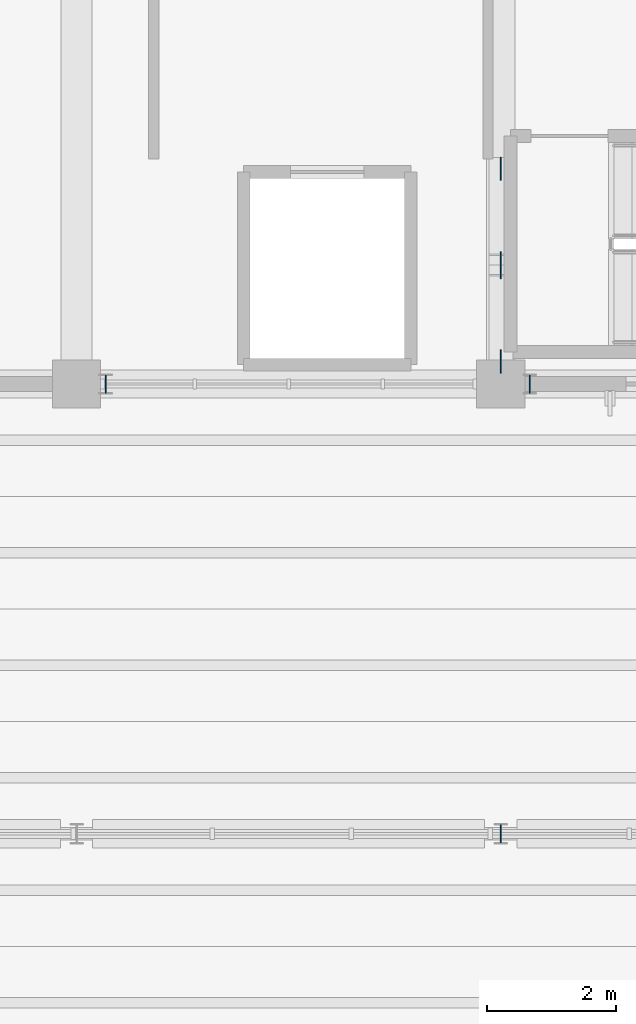
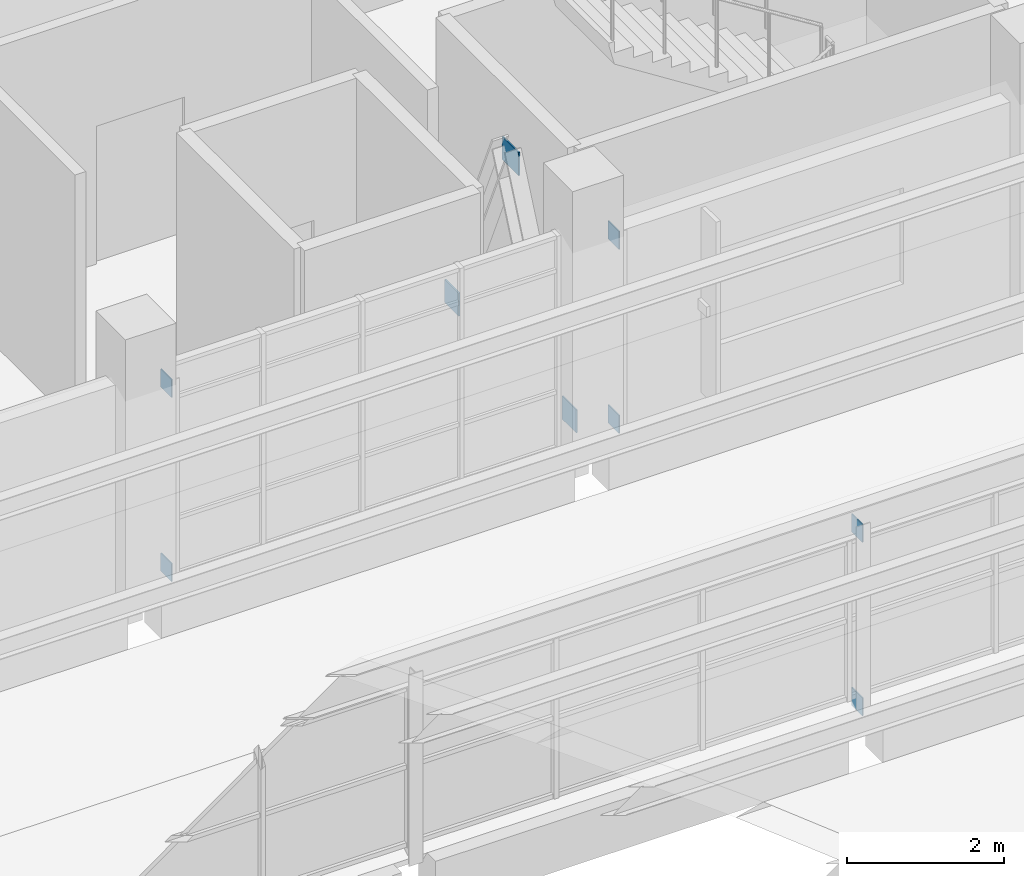
# One storey, part 84 of 92: 9 plates.
"""IFC4 building model written with IfcOpenShell, lengths in metres."""

from ifc_helpers import new_model, si_unit, direction, frame, origin, origin_2d, place, context, subcontext, project, spatial, rectangle, extrude, material, layer, layer_set, type_object, element, save


model = new_model("IFC4")

# Units and contexts
model_context = context("Model", 3, precision=1e-05, world=origin(), true_north=direction((0.0, 1.0)))
body_context = subcontext(model_context, "Body", "Model", "MODEL_VIEW")
ifc_project = project(units=[si_unit("LENGTHUNIT", "METRE"), si_unit("AREAUNIT", "SQUARE_METRE"), si_unit("VOLUMEUNIT", "CUBIC_METRE"), si_unit("PLANEANGLEUNIT", "RADIAN"), si_unit("MASSUNIT", "GRAM", prefix="KILO")], contexts=[model_context])

# Site, building, storey
site_placement = place(None, origin())
site = spatial("IfcSite", under=ifc_project, at=site_placement, CompositionType="ELEMENT")
building_placement = place(site_placement, origin())
building = spatial("IfcBuilding", under=site, at=building_placement, Name="Ciguamira Faculty of Natural Sciences", CompositionType="ELEMENT")
storey_placement = place(building_placement, frame((0.0, 0.0, 16.800048828125)))
storey = spatial("IfcBuildingStorey", under=building, at=storey_placement, Name="L04", CompositionType="ELEMENT", Elevation=16.800048828125)

# Plates
ifc_material = material(Name="Steel ASTM A572 Grade 50", Category="steel")
ifc_layer_1 = layer(ifc_material, 0.01611328125, Name="Steel ASTM A572 Grade 50")
ifc_layer_set_1 = layer_set([ifc_layer_1], Name="Steel ASTM A572 Grade 50")
plate_type_1 = type_object("IfcPlateType", Name="GussetPlate_EP-01", PredefinedType="SHEET", material=ifc_layer_set_1)
for number, where, z_axis, x_axis, name in (
    (1, (96.89990234375, 87.0, 0.0), (0.0, 0.0, 1.0), (1.0, 0.0, 0.0), "V4 wave 6 post connection plate 97-1"),
    (2, (96.89990234375, 87.0, 2.7060546875), (0.0, 0.0, 1.0), (1.0, 0.0, 0.0), "V4 wave 6 post connection plate 97-2"),
    (3, (90.75, 94.0, 0.0), (0.0, 0.0, 1.0), (1.0, 0.0, 0.0), "V4 wave 7 post connection plate 90-1"),
    (4, (90.75, 94.0, 2.8701171875), (0.0, 0.0, 1.0), (1.0, 0.0, 0.0), "V4 wave 7 post connection plate 90-2"),
    (5, (97.35009765625, 94.0, 0.0), (0.0, 0.0, 1.0), (1.0, 0.0, 0.0), "V4 wave 7 post connection plate 97-1"),
    (6, (97.35009765625, 94.0, 2.8701171875), (0.0, 0.0, 1.0), (1.0, 0.0, 0.0), "V4 wave 7 post connection plate 97-2"),
):
    element("IfcPlate", number, at=place(storey_placement, frame(where, z_axis=z_axis, x_axis=x_axis)), inside=storey, type_object=plate_type_1, Name=name, PredefinedType="SHEET", context=body_context, shape_type="SweptSolid", body=[
        extrude(rectangle(XDim=0.01611328125, YDim=0.280029296875, at=origin_2d()), origin(), (0.0, 0.0, 1.0), 0.280029296875),
    ])
ifc_layer_2 = layer(ifc_material, 0.02001953125, Name="Steel ASTM A572 Grade 50")
ifc_layer_set_2 = layer_set([ifc_layer_2], Name="Steel ASTM A572 Grade 50")
plate_type_2 = type_object("IfcPlateType", Name="GussetPlate_EP-02", PredefinedType="SHEET", material=ifc_layer_set_2)
plate_placement = place(storey_placement, frame((96.89990234375, 95.85009765625, 3.10009765625), z_axis=(0.0, 0.0, 1.0), x_axis=(1.0, 0.0, 0.0)))
element("IfcPlate", 7, at=plate_placement, inside=storey, type_object=plate_type_2, Name="L04 chevron brace apex gusset plate 012", PredefinedType="SHEET", context=body_context, shape_type="SweptSolid", body=[
    extrude(rectangle(XDim=0.02001953125, YDim=0.419921875, at=origin_2d()), origin(), (0.0, 0.0, 1.0), 0.360107421875),
])
for number, where, z_axis, x_axis, name in (
    (8, (96.89990234375, 94.35009765625, -0.02001953125), (0.0, 0.0, 1.0), (1.0, 0.0, 0.0), "L04 chevron brace base gusset plate 023"),
    (9, (96.89990234375, 97.35009765625, -0.02001953125), (0.0, 0.0, 1.0), (1.0, 0.0, 0.0), "L04 chevron brace base gusset plate 024"),
):
    element("IfcPlate", number, at=place(storey_placement, frame(where, z_axis=z_axis, x_axis=x_axis)), inside=storey, type_object=plate_type_2, Name=name, PredefinedType="SHEET", context=body_context, shape_type="SweptSolid", body=[
        extrude(rectangle(XDim=0.02001953125, YDim=0.360107421875, at=origin_2d()), origin(), (0.0, 0.0, 1.0), 0.360107421875),
    ])

save(model, "model.ifc")
